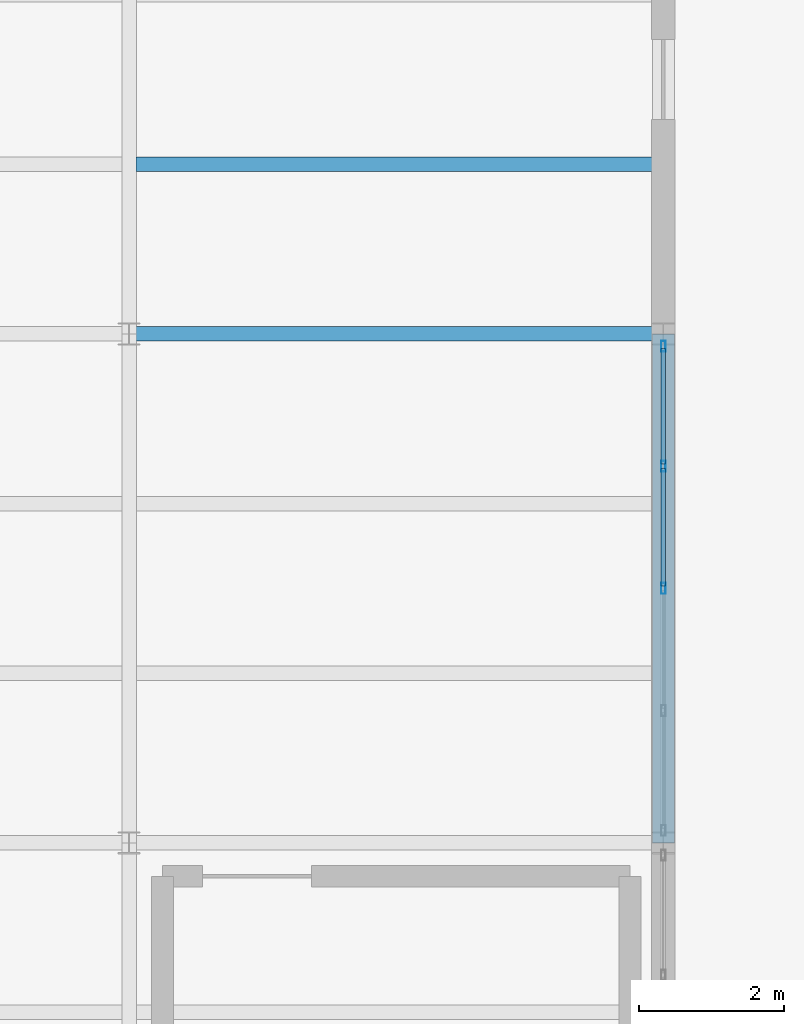
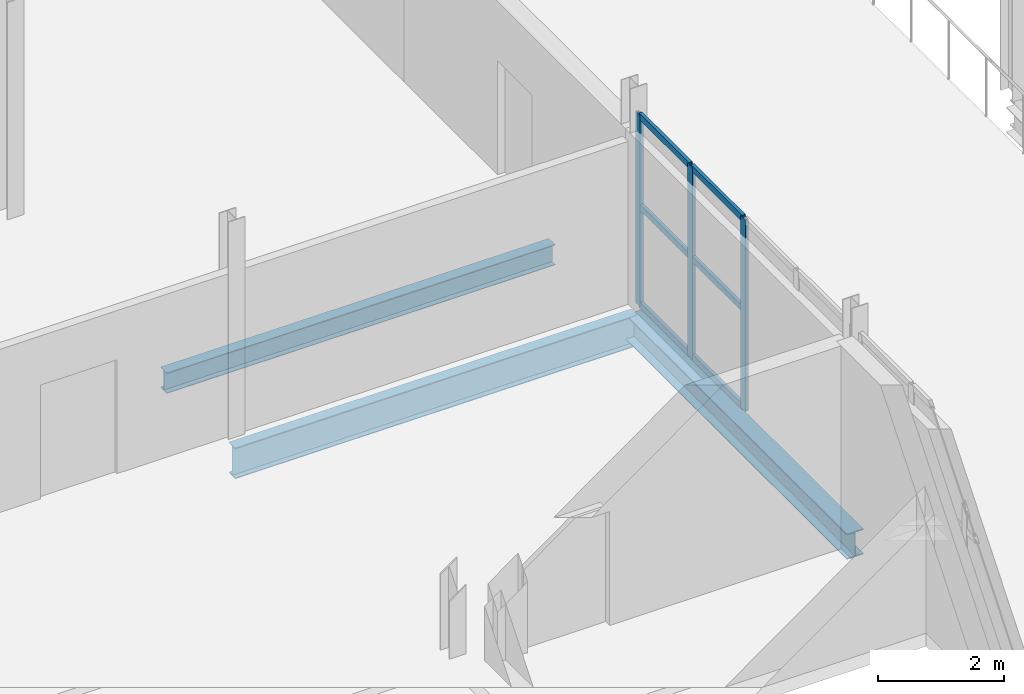
# One storey, part 18 of 39: 9 members, 3 beams, 1 element without a shape of its own.
"""IFC4 building model written with IfcOpenShell, lengths in metres."""

import ifcopenshell
import ifcopenshell.guid

model = None  # the IFC model being written
_history = None  # IfcOwnerHistory: only IFC2X3 demands one
_inside = {}  # id of a spatial element -> (the spatial element, [elements in it])
_under = {}  # id of a project, library or spatial element -> (it, [spatial elements below it])
_declared = {}  # id of a project -> (the project, [libraries it declares])
_typed = {}  # id of a type object -> (the type object, [elements of that type])
_made_of = {}  # id of a material, layer set ... -> (it, [elements and type objects made of it])


def new_model(schema):
    """Start an empty IFC model of exactly this schema.

    Asked for "IFC4X3", IfcOpenShell would pick the latest addendum, in which some entities
    have other attributes; the version numbers below select the first issue.
    IFC2X3 requires an IfcOwnerHistory on every rooted entity: one is made here for all.
    """
    global model, _history
    if schema == "IFC4X3":
        model = ifcopenshell.file(schema_version=(4, 3, 0, 0))
    else:
        model = ifcopenshell.file(schema=schema)
    _inside.clear()
    _under.clear()
    _declared.clear()
    _typed.clear()
    _made_of.clear()
    _history = None
    if model.schema == "IFC2X3":
        org = make("IfcOrganization", Name="unknown")
        user = make(
            "IfcPersonAndOrganization",
            ThePerson=make("IfcPerson", FamilyName="unknown"),
            TheOrganization=org,
        )
        app = make(
            "IfcApplication",
            ApplicationDeveloper=org,
            Version="unknown",
            ApplicationFullName="unknown",
            ApplicationIdentifier="unknown",
        )
        _history = make(
            "IfcOwnerHistory",
            OwningUser=user,
            OwningApplication=app,
            ChangeAction="ADDED",
            CreationDate=0,
        )
    return model


def make(cls, **values):
    """One entity of the class cls with the attributes given. An attribute that is None is left unset."""
    return model.create_entity(
        cls, **{name: value for name, value in values.items() if value is not None}
    )


def rooted(cls, **values):
    """An entity with a GlobalId (a new one), such as an element, a storey or a relation."""
    return make(cls, GlobalId=ifcopenshell.guid.new(), OwnerHistory=_history, **values)


def si_unit(unit_type, name, prefix=None):
    """IfcSIUnit, for example si_unit("LENGTHUNIT", "METRE", prefix="MILLI")."""
    return make("IfcSIUnit", UnitType=unit_type, Prefix=prefix, Name=name)


def assignment(units):
    """IfcUnitAssignment: the units of a project."""
    return None if units is None else make("IfcUnitAssignment", Units=units)


def point(xyz):
    """IfcCartesianPoint."""
    return None if xyz is None else make("IfcCartesianPoint", Coordinates=xyz)


def direction(xyz):
    """IfcDirection."""
    return None if xyz is None else make("IfcDirection", DirectionRatios=xyz)


def frame(location, z_axis=None, x_axis=None):
    """IfcAxis2Placement3D, a coordinate frame: its origin and axes. An axis left out is left unset."""
    return make(
        "IfcAxis2Placement3D",
        Location=point(location),
        Axis=direction(z_axis),
        RefDirection=direction(x_axis),
    )


def frame_2d(location, x_axis=None):
    """IfcAxis2Placement2D, a coordinate frame in the plane: its origin and x axis."""
    return make(
        "IfcAxis2Placement2D", Location=point(location), RefDirection=direction(x_axis)
    )


def origin():
    """The frame at (0, 0, 0) with its axes left unset."""
    return frame((0.0, 0.0, 0.0))


def origin_2d():
    """The frame at (0, 0) in the plane with its x axis left unset."""
    return frame_2d((0.0, 0.0))


def place(relative_to, where):
    """IfcLocalPlacement: puts the frame where relative to a parent placement (None: the world)."""
    return make(
        "IfcLocalPlacement", PlacementRelTo=relative_to, RelativePlacement=where
    )


def context(
    kind, dimensions, precision=None, world=None, true_north=None, identifier=None
):
    """IfcGeometricRepresentationContext, for example the 3D "Model" context."""
    return make(
        "IfcGeometricRepresentationContext",
        ContextIdentifier=identifier,
        ContextType=kind,
        CoordinateSpaceDimension=dimensions,
        Precision=precision,
        WorldCoordinateSystem=world,
        TrueNorth=true_north,
    )


def subcontext(parent, identifier, kind, view, scale=None):
    """IfcGeometricRepresentationSubContext, for example "Body" below "Model"."""
    return make(
        "IfcGeometricRepresentationSubContext",
        ContextIdentifier=identifier,
        ContextType=kind,
        ParentContext=parent,
        TargetScale=scale,
        TargetView=view,
    )


def project(units=None, contexts=None):
    """IfcProject with its units and contexts."""
    return rooted(
        "IfcProject",
        Name="project",
        RepresentationContexts=contexts,
        UnitsInContext=assignment(units),
    )


def spatial(cls, under=None, at=None, **own):
    """A site, building, storey or space (cls), placed at a placement, below another one or the project."""
    s = rooted(cls, ObjectPlacement=at, **own)
    if under is not None:
        _under.setdefault(under.id(), (under, []))[1].append(s)
    return s


def profile(cls, at=None, kind="AREA", **sizes):
    """A parametric profile (cls). Its sizes go by their IFC names, for example OverallWidth=200.0."""
    return make(cls, ProfileType=kind, Position=at, **sizes)


def hollow_rectangle(**sizes):
    """IfcRectangleHollowProfileDef."""
    return profile("IfcRectangleHollowProfileDef", **sizes)


def i_section(**sizes):
    """IfcIShapeProfileDef."""
    return profile("IfcIShapeProfileDef", **sizes)


def extrude(swept, where, along, depth):
    """IfcExtrudedAreaSolid: the profile swept, set in the frame where, extruded along a direction by depth."""
    return make(
        "IfcExtrudedAreaSolid",
        SweptArea=swept,
        Position=where,
        ExtrudedDirection=direction(along),
        Depth=depth,
    )


def shape(context_of_items, identifier, shape_type, items):
    """IfcShapeRepresentation: the items that make up one representation, for example the "Body"."""
    return make(
        "IfcShapeRepresentation",
        ContextOfItems=context_of_items,
        RepresentationIdentifier=identifier,
        RepresentationType=shape_type,
        Items=items,
    )


def material(Name=None, Category=None):
    """IfcMaterial."""
    return make("IfcMaterial", Name=Name, Category=Category)


def material_profile(
    of_material, cross_section, Name=None, Category=None, Priority=None
):
    """IfcMaterialProfile: a cross section and its material."""
    return make(
        "IfcMaterialProfile",
        Name=Name,
        Material=of_material,
        Profile=cross_section,
        Priority=Priority,
        Category=Category,
    )


def profile_set(profiles, Name=None, composite=None):
    """IfcMaterialProfileSet."""
    return make(
        "IfcMaterialProfileSet",
        Name=Name,
        MaterialProfiles=profiles,
        CompositeProfile=composite,
    )


def made_of(thing, what):
    """Note that an element or type object is made of a material, layer set ...; save() writes the relation."""
    if what is not None:
        _made_of.setdefault(what.id(), (what, []))[1].append(thing)
    return thing


def type_object(cls, material=None, **own):
    """A type object (cls), such as IfcWallType, which elements share."""
    return made_of(rooted(cls, **own), material)


def element(
    cls,
    number,
    at=None,
    inside=None,
    cuts=None,
    type_object=None,
    material=None,
    context=None,
    identifier="Body",
    shape_type=None,
    held_by="IfcProductDefinitionShape",
    body=None,
    shapes=None,
    **own,
):
    """One element of the class cls, such as IfcWall. Its Tag is "e" and its number.

    at: its placement. inside: the storey or other place that contains it. cuts: it is an
    opening in that element (IfcRelVoidsElement). A single representation is given by context,
    identifier, shape_type and body (its items); several are given by shapes. held_by: the class
    of the entity that holds the representations. save() writes the other relations.
    """
    e = rooted(cls, Tag="e%d" % number, ObjectPlacement=at, **own)
    if body is not None:
        shapes = [shape(context, identifier, shape_type, body)]
    if shapes is not None:
        e.Representation = make(held_by, Representations=shapes)
    if inside is not None:
        _inside.setdefault(inside.id(), (inside, []))[1].append(e)
    if cuts is not None:
        rooted(
            "IfcRelVoidsElement", RelatingBuildingElement=cuts, RelatedOpeningElement=e
        )
    if type_object is not None:
        _typed.setdefault(type_object.id(), (type_object, []))[1].append(e)
    return made_of(e, material)


def aggregate(whole, parts):
    """IfcRelAggregates: a whole, such as a stair, and the parts it consists of."""
    return rooted("IfcRelAggregates", RelatingObject=whole, RelatedObjects=parts)


def save(model, path):
    """Write the relations noted so far, then the file.

    IfcRelAggregates (storeys below a building ...), IfcRelContainedInSpatialStructure (elements
    in a storey), IfcRelDefinesByType, IfcRelAssociatesMaterial and IfcRelDeclares: one each for
    every whole, place, type object, material and project.
    """
    for whole, parts in _under.values():
        aggregate(whole, parts)
    for where, things in _inside.values():
        rooted(
            "IfcRelContainedInSpatialStructure",
            RelatedElements=things,
            RelatingStructure=where,
        )
    for kind, things in _typed.values():
        rooted("IfcRelDefinesByType", RelatedObjects=things, RelatingType=kind)
    for what, things in _made_of.values():
        rooted("IfcRelAssociatesMaterial", RelatedObjects=things, RelatingMaterial=what)
    for by, libraries in _declared.values():
        rooted("IfcRelDeclares", RelatingContext=by, RelatedDefinitions=libraries)
    model.write(path)


model = new_model("IFC4")

# Units and contexts
model_context = context("Model", 3, precision=1e-05, world=origin(), true_north=direction((0.0, 1.0)))
body_context = subcontext(model_context, "Body", "Model", "MODEL_VIEW")
ifc_project = project(units=[si_unit("LENGTHUNIT", "METRE"), si_unit("AREAUNIT", "SQUARE_METRE"), si_unit("VOLUMEUNIT", "CUBIC_METRE"), si_unit("PLANEANGLEUNIT", "RADIAN"), si_unit("MASSUNIT", "GRAM", prefix="KILO")], contexts=[model_context])

# Site, building, storey
site_placement = place(None, origin())
site = spatial("IfcSite", under=ifc_project, at=site_placement, CompositionType="ELEMENT")
building_placement = place(site_placement, origin())
building = spatial("IfcBuilding", under=site, at=building_placement, Name="Kazenagashi Tramway Depot", CompositionType="ELEMENT")
storey_placement = place(building_placement, frame((0.0, 0.0, 11.1)))
storey = spatial("IfcBuildingStorey", under=building, at=storey_placement, Name="L03", CompositionType="ELEMENT", Elevation=11.1)

# Beams
ifc_material_1 = material(Name="Steel SN490B", Category="steel")
ifc_material_profile_1 = material_profile(ifc_material_1, i_section(OverallWidth=0.199, OverallDepth=0.596, WebThickness=0.01, FlangeThickness=0.015, at=origin_2d()), Name="H-596x199x10x15")
ifc_profile_set_1 = profile_set([ifc_material_profile_1], Name="Steel SN490B")
beam_type_1 = type_object("IfcBeamType", Name="G-09", PredefinedType="BEAM", material=ifc_profile_set_1)
beam_1_placement = place(storey_placement, frame((29.4, 21.0, -0.548), z_axis=(1.0, 0.0, 0.0), x_axis=(0.0, 1.0, 0.0)))
element("IfcBeam", 1, at=beam_1_placement, inside=storey, type_object=beam_type_1, Name="Beam G-09 BM-0237", PredefinedType="BEAM", context=body_context, shape_type="SweptSolid", body=[
    extrude(i_section(OverallWidth=0.199, OverallDepth=0.596, WebThickness=0.01, FlangeThickness=0.015, at=origin_2d()), origin(), (0.0, 0.0, 1.0), 7.35),
])
ifc_material_profile_2 = material_profile(ifc_material_1, i_section(OverallWidth=0.199, OverallDepth=0.396, WebThickness=0.007, FlangeThickness=0.011, at=origin_2d()), Name="H-396x199x7x11")
ifc_profile_set_2 = profile_set([ifc_material_profile_2], Name="Steel SN490B")
beam_type_2 = type_object("IfcBeamType", Name="J-05", PredefinedType="JOIST", material=ifc_profile_set_2)
beam_2_placement = place(storey_placement, frame((29.499, 23.333, -0.448), z_axis=(1.0, 0.0, 0.0), x_axis=(0.0, 1.0, 0.0)))
element("IfcBeam", 2, at=beam_2_placement, inside=storey, type_object=beam_type_2, Name="Beam J-05 BM-0382", PredefinedType="JOIST", context=body_context, shape_type="SweptSolid", body=[
    extrude(i_section(OverallWidth=0.199, OverallDepth=0.396, WebThickness=0.007, FlangeThickness=0.011, at=origin_2d()), origin(), (0.0, 0.0, 1.0), 7.101),
])

# Curtain wall, members
ifc_material_2 = material(Name="Anodised Aluminium and Low-E Glazing", Category="aluminium")
curtain_wall_type = type_object("IfcCurtainWallType", Name="CW-26", PredefinedType="USERDEFINED", material=ifc_material_2)
curtain_wall_placement = place(storey_placement, origin())
curtain_wall = element("IfcCurtainWall", 3, at=curtain_wall_placement, inside=storey, type_object=curtain_wall_type, Name="Industrial Glazed Screen CW-26 CW-0146", ObjectType="GLAZED SCREEN", PredefinedType="USERDEFINED")
ifc_material_3 = material(Name="Anodised Aluminium", Category="aluminium")
ifc_material_profile_3 = material_profile(ifc_material_3, hollow_rectangle(XDim=0.06, YDim=0.15, WallThickness=0.004, at=origin_2d()), Name="RHS-150x60x4")
ifc_profile_set_3 = profile_set([ifc_material_profile_3], Name="Anodised Aluminium")
member_type_1 = type_object("IfcMemberType", Name="ML-01", PredefinedType="MULLION", material=ifc_profile_set_3)
member_1_placement = place(storey_placement, frame((36.75, 17.5, 0.0), z_axis=(0.0, 0.0, 1.0), x_axis=(-1.0, 0.0, 0.0)))
member_1 = element("IfcMember", 4, at=member_1_placement, type_object=member_type_1, Name="CW-26 mullion 3", PredefinedType="MULLION", context=body_context, shape_type="SweptSolid", body=[
    extrude(hollow_rectangle(XDim=0.06, YDim=0.15, WallThickness=0.004, at=origin_2d()), origin(), (0.0, 0.0, 1.0), 3.7),
])
member_2_placement = place(storey_placement, frame((36.75, 19.18, 0.0), z_axis=(0.0, 0.0, 1.0), x_axis=(-1.0, 0.0, 0.0)))
member_2 = element("IfcMember", 5, at=member_2_placement, type_object=member_type_1, Name="CW-26 mullion 4", PredefinedType="MULLION", context=body_context, shape_type="SweptSolid", body=[
    extrude(hollow_rectangle(XDim=0.06, YDim=0.15, WallThickness=0.004, at=origin_2d()), origin(), (0.0, 0.0, 1.0), 3.7),
])
member_3_placement = place(storey_placement, frame((36.75, 20.83, 0.0), z_axis=(0.0, 0.0, 1.0), x_axis=(-1.0, 0.0, 0.0)))
member_3 = element("IfcMember", 6, at=member_3_placement, type_object=member_type_1, Name="CW-26 mullion 5", PredefinedType="MULLION", context=body_context, shape_type="SweptSolid", body=[
    extrude(hollow_rectangle(XDim=0.06, YDim=0.15, WallThickness=0.004, at=origin_2d()), origin(), (0.0, 0.0, 1.0), 3.7),
])

# Beam
ifc_material_profile_4 = material_profile(ifc_material_1, i_section(OverallWidth=0.3, OverallDepth=0.488, WebThickness=0.011, FlangeThickness=0.018, at=origin_2d()), Name="H-488x300x11x18")
ifc_profile_set_4 = profile_set([ifc_material_profile_4], Name="Steel SN490B")
beam_type_3 = type_object("IfcBeamType", Name="SP-02", PredefinedType="SPANDREL", material=ifc_profile_set_4)
beam_3_placement = place(storey_placement, frame((36.75, 14.0, -0.494), z_axis=(0.0, 1.0, 0.0), x_axis=(-1.0, 0.0, 0.0)))
element("IfcBeam", 7, at=beam_3_placement, inside=storey, type_object=beam_type_3, Name="Beam SP-02 BM-0401", PredefinedType="SPANDREL", context=body_context, shape_type="SweptSolid", body=[
    extrude(i_section(OverallWidth=0.3, OverallDepth=0.488, WebThickness=0.011, FlangeThickness=0.018, at=origin_2d()), origin(), (0.0, 0.0, 1.0), 7.0),
])

# Member
ifc_material_profile_5 = material_profile(ifc_material_3, hollow_rectangle(XDim=0.06, YDim=0.12, WallThickness=0.004, at=origin_2d()), Name="RHS-120x60x4")
ifc_profile_set_5 = profile_set([ifc_material_profile_5], Name="Anodised Aluminium")
member_type_2 = type_object("IfcMemberType", Name="TR-01", PredefinedType="USERDEFINED", material=ifc_profile_set_5)
member_4_placement = place(storey_placement, frame((36.75, 17.53, 0.03), z_axis=(0.0, 1.0, 0.0), x_axis=(-1.0, 0.0, 0.0)))
member_4 = element("IfcMember", 8, at=member_4_placement, type_object=member_type_2, Name="CW-26 transom 3.1", ObjectType="TRANSOM", PredefinedType="USERDEFINED", context=body_context, shape_type="SweptSolid", body=[
    extrude(hollow_rectangle(XDim=0.06, YDim=0.12, WallThickness=0.004, at=origin_2d()), origin(), (0.0, 0.0, 1.0), 1.62),
])

member_5_placement = place(storey_placement, frame((36.75, 17.53, 1.924), z_axis=(0.0, 1.0, 0.0), x_axis=(-1.0, 0.0, 0.0)))
member_5 = element("IfcMember", 9, at=member_5_placement, type_object=member_type_2, Name="CW-26 transom 3.2", ObjectType="TRANSOM", PredefinedType="USERDEFINED", context=body_context, shape_type="SweptSolid", body=[
    extrude(hollow_rectangle(XDim=0.06, YDim=0.12, WallThickness=0.004, at=origin_2d()), origin(), (0.0, 0.0, 1.0), 1.62),
])

member_6_placement = place(storey_placement, frame((36.75, 17.53, 3.67), z_axis=(0.0, 1.0, 0.0), x_axis=(-1.0, 0.0, 0.0)))
member_6 = element("IfcMember", 10, at=member_6_placement, type_object=member_type_2, Name="CW-26 transom 3.3", ObjectType="TRANSOM", PredefinedType="USERDEFINED", context=body_context, shape_type="SweptSolid", body=[
    extrude(hollow_rectangle(XDim=0.06, YDim=0.12, WallThickness=0.004, at=origin_2d()), origin(), (0.0, 0.0, 1.0), 1.62),
])

member_7_placement = place(storey_placement, frame((36.75, 19.21, 0.03), z_axis=(0.0, 1.0, 0.0), x_axis=(-1.0, 0.0, 0.0)))
member_7 = element("IfcMember", 11, at=member_7_placement, type_object=member_type_2, Name="CW-26 transom 4.1", ObjectType="TRANSOM", PredefinedType="USERDEFINED", context=body_context, shape_type="SweptSolid", body=[
    extrude(hollow_rectangle(XDim=0.06, YDim=0.12, WallThickness=0.004, at=origin_2d()), origin(), (0.0, 0.0, 1.0), 1.59),
])

member_8_placement = place(storey_placement, frame((36.75, 19.21, 1.924), z_axis=(0.0, 1.0, 0.0), x_axis=(-1.0, 0.0, 0.0)))
member_8 = element("IfcMember", 12, at=member_8_placement, type_object=member_type_2, Name="CW-26 transom 4.2", ObjectType="TRANSOM", PredefinedType="USERDEFINED", context=body_context, shape_type="SweptSolid", body=[
    extrude(hollow_rectangle(XDim=0.06, YDim=0.12, WallThickness=0.004, at=origin_2d()), origin(), (0.0, 0.0, 1.0), 1.59),
])

member_9_placement = place(storey_placement, frame((36.75, 19.21, 3.67), z_axis=(0.0, 1.0, 0.0), x_axis=(-1.0, 0.0, 0.0)))
member_9 = element("IfcMember", 13, at=member_9_placement, type_object=member_type_2, Name="CW-26 transom 4.3", ObjectType="TRANSOM", PredefinedType="USERDEFINED", context=body_context, shape_type="SweptSolid", body=[
    extrude(hollow_rectangle(XDim=0.06, YDim=0.12, WallThickness=0.004, at=origin_2d()), origin(), (0.0, 0.0, 1.0), 1.59),
])

aggregate(curtain_wall, [member_1, member_2, member_3, member_4, member_5, member_6, member_7, member_8, member_9])

save(model, "model.ifc")
